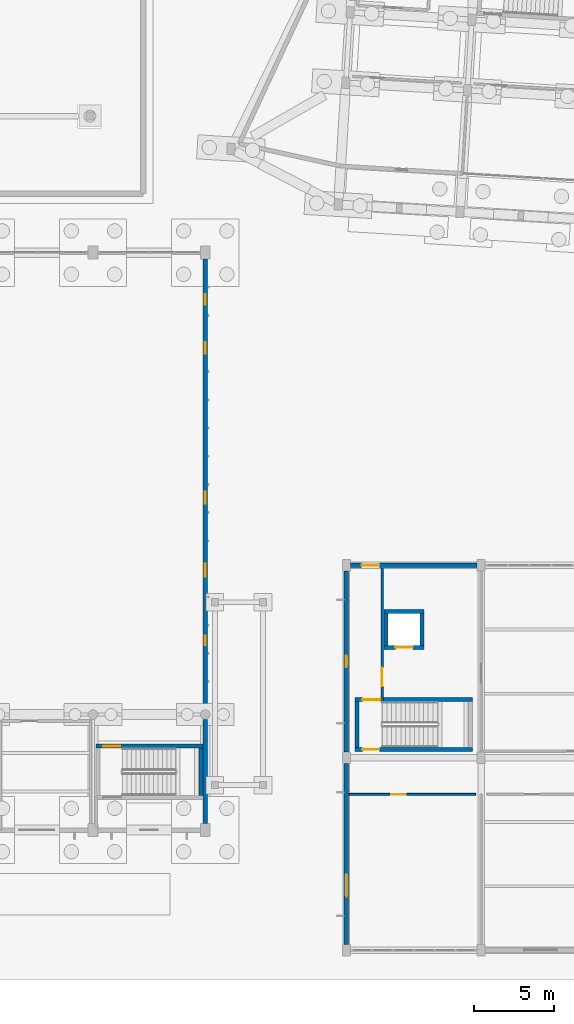
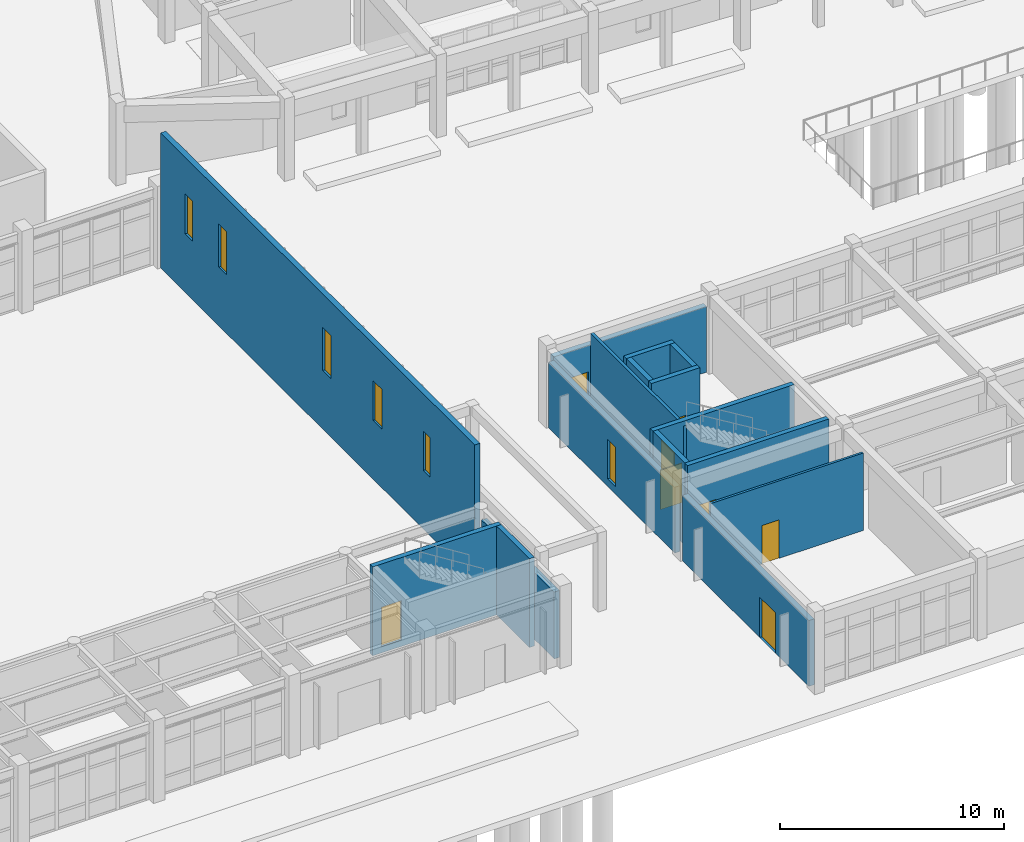
# One storey, part 118 of 154: 16 walls, 8 doors, 6 windows, 14 openings.
"""IFC4 building model written with IfcOpenShell, lengths in metres."""

import ifcopenshell
import ifcopenshell.guid

model = None  # the IFC model being written
_history = None  # IfcOwnerHistory: only IFC2X3 demands one
_inside = {}  # id of a spatial element -> (the spatial element, [elements in it])
_under = {}  # id of a project, library or spatial element -> (it, [spatial elements below it])
_declared = {}  # id of a project -> (the project, [libraries it declares])
_typed = {}  # id of a type object -> (the type object, [elements of that type])
_made_of = {}  # id of a material, layer set ... -> (it, [elements and type objects made of it])


def new_model(schema):
    """Start an empty IFC model of exactly this schema.

    Asked for "IFC4X3", IfcOpenShell would pick the latest addendum, in which some entities
    have other attributes; the version numbers below select the first issue.
    IFC2X3 requires an IfcOwnerHistory on every rooted entity: one is made here for all.
    """
    global model, _history
    if schema == "IFC4X3":
        model = ifcopenshell.file(schema_version=(4, 3, 0, 0))
    else:
        model = ifcopenshell.file(schema=schema)
    _inside.clear()
    _under.clear()
    _declared.clear()
    _typed.clear()
    _made_of.clear()
    _history = None
    if model.schema == "IFC2X3":
        org = make("IfcOrganization", Name="unknown")
        user = make(
            "IfcPersonAndOrganization",
            ThePerson=make("IfcPerson", FamilyName="unknown"),
            TheOrganization=org,
        )
        app = make(
            "IfcApplication",
            ApplicationDeveloper=org,
            Version="unknown",
            ApplicationFullName="unknown",
            ApplicationIdentifier="unknown",
        )
        _history = make(
            "IfcOwnerHistory",
            OwningUser=user,
            OwningApplication=app,
            ChangeAction="ADDED",
            CreationDate=0,
        )
    return model


def make(cls, **values):
    """One entity of the class cls with the attributes given. An attribute that is None is left unset."""
    return model.create_entity(
        cls, **{name: value for name, value in values.items() if value is not None}
    )


def rooted(cls, **values):
    """An entity with a GlobalId (a new one), such as an element, a storey or a relation."""
    return make(cls, GlobalId=ifcopenshell.guid.new(), OwnerHistory=_history, **values)


def si_unit(unit_type, name, prefix=None):
    """IfcSIUnit, for example si_unit("LENGTHUNIT", "METRE", prefix="MILLI")."""
    return make("IfcSIUnit", UnitType=unit_type, Prefix=prefix, Name=name)


def assignment(units):
    """IfcUnitAssignment: the units of a project."""
    return None if units is None else make("IfcUnitAssignment", Units=units)


def point(xyz):
    """IfcCartesianPoint."""
    return None if xyz is None else make("IfcCartesianPoint", Coordinates=xyz)


def direction(xyz):
    """IfcDirection."""
    return None if xyz is None else make("IfcDirection", DirectionRatios=xyz)


def frame(location, z_axis=None, x_axis=None):
    """IfcAxis2Placement3D, a coordinate frame: its origin and axes. An axis left out is left unset."""
    return make(
        "IfcAxis2Placement3D",
        Location=point(location),
        Axis=direction(z_axis),
        RefDirection=direction(x_axis),
    )


def frame_2d(location, x_axis=None):
    """IfcAxis2Placement2D, a coordinate frame in the plane: its origin and x axis."""
    return make(
        "IfcAxis2Placement2D", Location=point(location), RefDirection=direction(x_axis)
    )


def origin():
    """The frame at (0, 0, 0) with its axes left unset."""
    return frame((0.0, 0.0, 0.0))


def place(relative_to, where):
    """IfcLocalPlacement: puts the frame where relative to a parent placement (None: the world)."""
    return make(
        "IfcLocalPlacement", PlacementRelTo=relative_to, RelativePlacement=where
    )


def context(
    kind, dimensions, precision=None, world=None, true_north=None, identifier=None
):
    """IfcGeometricRepresentationContext, for example the 3D "Model" context."""
    return make(
        "IfcGeometricRepresentationContext",
        ContextIdentifier=identifier,
        ContextType=kind,
        CoordinateSpaceDimension=dimensions,
        Precision=precision,
        WorldCoordinateSystem=world,
        TrueNorth=true_north,
    )


def subcontext(parent, identifier, kind, view, scale=None):
    """IfcGeometricRepresentationSubContext, for example "Body" below "Model"."""
    return make(
        "IfcGeometricRepresentationSubContext",
        ContextIdentifier=identifier,
        ContextType=kind,
        ParentContext=parent,
        TargetScale=scale,
        TargetView=view,
    )


def project(units=None, contexts=None):
    """IfcProject with its units and contexts."""
    return rooted(
        "IfcProject",
        Name="project",
        RepresentationContexts=contexts,
        UnitsInContext=assignment(units),
    )


def spatial(cls, under=None, at=None, **own):
    """A site, building, storey or space (cls), placed at a placement, below another one or the project."""
    s = rooted(cls, ObjectPlacement=at, **own)
    if under is not None:
        _under.setdefault(under.id(), (under, []))[1].append(s)
    return s


def profile(cls, at=None, kind="AREA", **sizes):
    """A parametric profile (cls). Its sizes go by their IFC names, for example OverallWidth=200.0."""
    return make(cls, ProfileType=kind, Position=at, **sizes)


def rectangle(**sizes):
    """IfcRectangleProfileDef."""
    return profile("IfcRectangleProfileDef", **sizes)


def extrude(swept, where, along, depth):
    """IfcExtrudedAreaSolid: the profile swept, set in the frame where, extruded along a direction by depth."""
    return make(
        "IfcExtrudedAreaSolid",
        SweptArea=swept,
        Position=where,
        ExtrudedDirection=direction(along),
        Depth=depth,
    )


def shape(context_of_items, identifier, shape_type, items):
    """IfcShapeRepresentation: the items that make up one representation, for example the "Body"."""
    return make(
        "IfcShapeRepresentation",
        ContextOfItems=context_of_items,
        RepresentationIdentifier=identifier,
        RepresentationType=shape_type,
        Items=items,
    )


def material(Name=None, Category=None):
    """IfcMaterial."""
    return make("IfcMaterial", Name=Name, Category=Category)


def layer(
    of_material, thickness, ventilated=None, Name=None, Category=None, Priority=None
):
    """IfcMaterialLayer: one layer of a wall or slab, of a material (None: an air gap)."""
    return make(
        "IfcMaterialLayer",
        Material=of_material,
        LayerThickness=thickness,
        IsVentilated=ventilated,
        Name=Name,
        Category=Category,
        Priority=Priority,
    )


def layer_set(layers, Name=None):
    """IfcMaterialLayerSet."""
    return make("IfcMaterialLayerSet", MaterialLayers=layers, LayerSetName=Name)


def made_of(thing, what):
    """Note that an element or type object is made of a material, layer set ...; save() writes the relation."""
    if what is not None:
        _made_of.setdefault(what.id(), (what, []))[1].append(thing)
    return thing


def type_object(cls, material=None, **own):
    """A type object (cls), such as IfcWallType, which elements share."""
    return made_of(rooted(cls, **own), material)


def element(
    cls,
    number,
    at=None,
    inside=None,
    cuts=None,
    type_object=None,
    material=None,
    context=None,
    identifier="Body",
    shape_type=None,
    held_by="IfcProductDefinitionShape",
    body=None,
    shapes=None,
    **own,
):
    """One element of the class cls, such as IfcWall. Its Tag is "e" and its number.

    at: its placement. inside: the storey or other place that contains it. cuts: it is an
    opening in that element (IfcRelVoidsElement). A single representation is given by context,
    identifier, shape_type and body (its items); several are given by shapes. held_by: the class
    of the entity that holds the representations. save() writes the other relations.
    """
    e = rooted(cls, Tag="e%d" % number, ObjectPlacement=at, **own)
    if body is not None:
        shapes = [shape(context, identifier, shape_type, body)]
    if shapes is not None:
        e.Representation = make(held_by, Representations=shapes)
    if inside is not None:
        _inside.setdefault(inside.id(), (inside, []))[1].append(e)
    if cuts is not None:
        rooted(
            "IfcRelVoidsElement", RelatingBuildingElement=cuts, RelatedOpeningElement=e
        )
    if type_object is not None:
        _typed.setdefault(type_object.id(), (type_object, []))[1].append(e)
    return made_of(e, material)


def fill(opening, filler):
    """IfcRelFillsElement: the door or window that sits in an opening."""
    return rooted(
        "IfcRelFillsElement",
        RelatingOpeningElement=opening,
        RelatedBuildingElement=filler,
    )


def aggregate(whole, parts):
    """IfcRelAggregates: a whole, such as a stair, and the parts it consists of."""
    return rooted("IfcRelAggregates", RelatingObject=whole, RelatedObjects=parts)


def save(model, path):
    """Write the relations noted so far, then the file.

    IfcRelAggregates (storeys below a building ...), IfcRelContainedInSpatialStructure (elements
    in a storey), IfcRelDefinesByType, IfcRelAssociatesMaterial and IfcRelDeclares: one each for
    every whole, place, type object, material and project.
    """
    for whole, parts in _under.values():
        aggregate(whole, parts)
    for where, things in _inside.values():
        rooted(
            "IfcRelContainedInSpatialStructure",
            RelatedElements=things,
            RelatingStructure=where,
        )
    for kind, things in _typed.values():
        rooted("IfcRelDefinesByType", RelatedObjects=things, RelatingType=kind)
    for what, things in _made_of.values():
        rooted("IfcRelAssociatesMaterial", RelatedObjects=things, RelatingMaterial=what)
    for by, libraries in _declared.values():
        rooted("IfcRelDeclares", RelatingContext=by, RelatedDefinitions=libraries)
    model.write(path)


model = new_model("IFC4")

# Units and contexts
model_context = context("Model", 3, precision=1e-05, world=origin(), true_north=direction((0.0, 1.0)))
body_context = subcontext(model_context, "Body", "Model", "MODEL_VIEW")
ifc_project = project(units=[si_unit("LENGTHUNIT", "METRE"), si_unit("AREAUNIT", "SQUARE_METRE"), si_unit("VOLUMEUNIT", "CUBIC_METRE"), si_unit("PLANEANGLEUNIT", "RADIAN"), si_unit("MASSUNIT", "GRAM", prefix="KILO")], contexts=[model_context])

# Site, building, storey
site_placement = place(None, origin())
site = spatial("IfcSite", under=ifc_project, at=site_placement, CompositionType="ELEMENT")
building_placement = place(site_placement, origin())
building = spatial("IfcBuilding", under=site, at=building_placement, Name="Kestramere Prow Commons", CompositionType="ELEMENT")
storey_placement = place(building_placement, origin())
storey = spatial("IfcBuildingStorey", under=building, at=storey_placement, Name="L00", CompositionType="ELEMENT", Elevation=0.0)

# Wall
ifc_material_1 = material(Name="Precast concrete C40/50", Category="concrete")
ifc_layer_1 = layer(ifc_material_1, 0.280029296875)
ifc_layer_set_1 = layer_set([ifc_layer_1], Name="Precast concrete C40/50")
wall_type_1 = type_object("IfcWallType", Name="EW-CIVIC-280", PredefinedType="SOLIDWALL", material=ifc_layer_set_1)
wall_1_placement = place(storey_placement, frame((51.199951171875, 14.39990234375, 0.0), z_axis=(0.0, 0.0, 1.0), x_axis=(0.0, -1.0, 0.0)))
element("IfcWall", 1, at=wall_1_placement, inside=storey, type_object=wall_type_1, Name="Hall L00 E Gallery End Wall", PredefinedType="SOLIDWALL", context=body_context, shape_type="SweptSolid", body=[
    extrude(rectangle(XDim=6.5, YDim=0.280029296875, at=frame_2d((3.25, 0.0))), origin(), (0.0, 0.0, 1.0), 3.64990234375),
])

# Wall, openings, windows
wall_2_placement = place(storey_placement, frame((51.199951171875, 43.10009765625, 0.0), z_axis=(0.0, 0.0, 1.0), x_axis=(0.0, -1.0, 0.0)))
wall_2 = element("IfcWall", 2, at=wall_2_placement, inside=storey, type_object=wall_type_1, Name="Hall L00 E Double-Height Gable Wall", PredefinedType="SOLIDWALL", context=body_context, shape_type="SweptSolid", body=[
    extrude(rectangle(XDim=28.10009765625, YDim=0.280029296875, at=frame_2d((14.050048828125, 0.0))), origin(), (0.0, 0.0, 1.0), 7.3798828125),
])
opening_1_placement = place(wall_2_placement, frame((2.199951171875, 0.0, 3.199951171875)))
opening_1 = element("IfcOpeningElement", 3, at=opening_1_placement, cuts=wall_2, Name="Opening WN-04", PredefinedType="OPENING", context=body_context, shape_type="SweptSolid", body=[
    extrude(rectangle(XDim=0.639892578125, YDim=2.179931640625, at=frame_2d((0.31982421875, 1.08984375))), frame((0.0, 0.155029296875, 0.0), z_axis=(0.0, -1.0, 0.0), x_axis=(1.0, 0.0, 0.0)), (0.0, 0.0, 1.0), 0.31005859375),
])
opening_2_placement = place(wall_2_placement, frame((5.199951171875, 0.0, 3.199951171875)))
opening_2 = element("IfcOpeningElement", 4, at=opening_2_placement, cuts=wall_2, Name="Opening WN-07", PredefinedType="OPENING", context=body_context, shape_type="SweptSolid", body=[
    extrude(rectangle(XDim=0.699951171875, YDim=2.360107421875, at=frame_2d((0.35009765625, 1.18017578125))), frame((0.0, 0.155029296875, 0.0), z_axis=(0.0, -1.0, 0.0), x_axis=(1.0, 0.0, 0.0)), (0.0, 0.0, 1.0), 0.31005859375),
])
opening_3_placement = place(wall_2_placement, frame((14.5, 0.0, 3.199951171875)))
opening_3 = element("IfcOpeningElement", 5, at=opening_3_placement, cuts=wall_2, Name="Opening WN-10", PredefinedType="OPENING", context=body_context, shape_type="SweptSolid", body=[
    extrude(rectangle(XDim=0.760009765625, YDim=2.340087890625, at=frame_2d((0.3798828125, 1.169921875))), frame((0.0, 0.155029296875, 0.0), z_axis=(0.0, -1.0, 0.0), x_axis=(1.0, 0.0, 0.0)), (0.0, 0.0, 1.0), 0.31005859375),
])
opening_4_placement = place(wall_2_placement, frame((19.0, 0.0, 3.199951171875)))
opening_4 = element("IfcOpeningElement", 6, at=opening_4_placement, cuts=wall_2, Name="Opening WN-13", PredefinedType="OPENING", context=body_context, shape_type="SweptSolid", body=[
    extrude(rectangle(XDim=0.820068359375, YDim=2.179931640625, at=frame_2d((0.41015625, 1.08984375))), frame((0.0, 0.155029296875, 0.0), z_axis=(0.0, -1.0, 0.0), x_axis=(1.0, 0.0, 0.0)), (0.0, 0.0, 1.0), 0.31005859375),
])
opening_5_placement = place(wall_2_placement, frame((23.5, 0.0, 3.199951171875)))
opening_5 = element("IfcOpeningElement", 7, at=opening_5_placement, cuts=wall_2, Name="Opening WN-01", PredefinedType="OPENING", context=body_context, shape_type="SweptSolid", body=[
    extrude(rectangle(XDim=0.580078125, YDim=2.159912109375, at=frame_2d((0.2900390625, 1.080078125))), frame((0.0, 0.155029296875, 0.0), z_axis=(0.0, -1.0, 0.0), x_axis=(1.0, 0.0, 0.0)), (0.0, 0.0, 1.0), 0.31005859375),
])
ifc_material_2 = material(Name="Low-E Laminated Double Glazing", Category="glass")
window_type_1 = type_object("IfcWindowType", Name="WN-NAR-580A", PartitioningType="SINGLE_PANEL", PredefinedType="WINDOW", material=ifc_material_2)
window_1_placement = place(opening_5_placement, origin())
window_1 = element("IfcWindow", 8, at=window_1_placement, inside=storey, type_object=window_type_1, Name="WN-HL-GAB-E-5", OverallHeight=2.159912109375, OverallWidth=0.580078125, PartitioningType="SINGLE_PANEL", PredefinedType="WINDOW", context=body_context, shape_type="SweptSolid", body=[
    extrude(rectangle(XDim=0.580078125, YDim=2.159912109375, at=frame_2d((0.2900390625, 1.080078125))), frame((0.0, 0.030029296875, 0.0), z_axis=(0.0, -1.0, 0.0), x_axis=(1.0, 0.0, 0.0)), (0.0, 0.0, 1.0), 0.06005859375),
])
fill(opening_5, window_1)
window_type_2 = type_object("IfcWindowType", Name="WN-NAR-640A", PartitioningType="SINGLE_PANEL", PredefinedType="WINDOW", material=ifc_material_2)
window_2_placement = place(opening_1_placement, origin())
window_2 = element("IfcWindow", 9, at=window_2_placement, inside=storey, type_object=window_type_2, Name="WN-HL-GAB-E-1", OverallHeight=2.179931640625, OverallWidth=0.639892578125, PartitioningType="SINGLE_PANEL", PredefinedType="WINDOW", context=body_context, shape_type="SweptSolid", body=[
    extrude(rectangle(XDim=0.639892578125, YDim=2.179931640625, at=frame_2d((0.31982421875, 1.08984375))), frame((0.0, 0.030029296875, 0.0), z_axis=(0.0, -1.0, 0.0), x_axis=(1.0, 0.0, 0.0)), (0.0, 0.0, 1.0), 0.06005859375),
])
fill(opening_1, window_2)
window_type_3 = type_object("IfcWindowType", Name="WN-NAR-700A", PartitioningType="SINGLE_PANEL", PredefinedType="WINDOW", material=ifc_material_2)
window_3_placement = place(opening_2_placement, origin())
window_3 = element("IfcWindow", 10, at=window_3_placement, inside=storey, type_object=window_type_3, Name="WN-HL-GAB-E-2", OverallHeight=2.360107421875, OverallWidth=0.699951171875, PartitioningType="SINGLE_PANEL", PredefinedType="WINDOW", context=body_context, shape_type="SweptSolid", body=[
    extrude(rectangle(XDim=0.699951171875, YDim=2.360107421875, at=frame_2d((0.35009765625, 1.18017578125))), frame((0.0, 0.030029296875, 0.0), z_axis=(0.0, -1.0, 0.0), x_axis=(1.0, 0.0, 0.0)), (0.0, 0.0, 1.0), 0.06005859375),
])
fill(opening_2, window_3)
window_type_4 = type_object("IfcWindowType", Name="WN-NAR-760A", PartitioningType="SINGLE_PANEL", PredefinedType="WINDOW", material=ifc_material_2)
window_4_placement = place(opening_3_placement, origin())
window_4 = element("IfcWindow", 11, at=window_4_placement, inside=storey, type_object=window_type_4, Name="WN-HL-GAB-E-3", OverallHeight=2.340087890625, OverallWidth=0.760009765625, PartitioningType="SINGLE_PANEL", PredefinedType="WINDOW", context=body_context, shape_type="SweptSolid", body=[
    extrude(rectangle(XDim=0.760009765625, YDim=2.340087890625, at=frame_2d((0.3798828125, 1.169921875))), frame((0.0, 0.030029296875, 0.0), z_axis=(0.0, -1.0, 0.0), x_axis=(1.0, 0.0, 0.0)), (0.0, 0.0, 1.0), 0.06005859375),
])
fill(opening_3, window_4)
window_type_5 = type_object("IfcWindowType", Name="WN-NAR-820A", PartitioningType="DOUBLE_PANEL_VERTICAL", PredefinedType="WINDOW", material=ifc_material_2)
window_5_placement = place(opening_4_placement, origin())
window_5 = element("IfcWindow", 12, at=window_5_placement, inside=storey, type_object=window_type_5, Name="WN-HL-GAB-E-4", OverallHeight=2.179931640625, OverallWidth=0.820068359375, PartitioningType="SINGLE_PANEL", PredefinedType="WINDOW", context=body_context, shape_type="SweptSolid", body=[
    extrude(rectangle(XDim=0.820068359375, YDim=2.179931640625, at=frame_2d((0.41015625, 1.08984375))), frame((0.0, 0.030029296875, 0.0), z_axis=(0.0, -1.0, 0.0), x_axis=(1.0, 0.0, 0.0)), (0.0, 0.0, 1.0), 0.06005859375),
])
fill(opening_4, window_5)

# Wall, opening, door
wall_3_placement = place(storey_placement, frame((60.25, 24.0, 0.0), z_axis=(0.0, 0.0, 1.0), x_axis=(1.0, 0.0, 0.0)))
wall_3 = element("IfcWall", 13, at=wall_3_placement, inside=storey, type_object=wall_type_1, Name="Market L00 Core Wall 1", PredefinedType="SOLIDWALL", context=body_context, shape_type="SweptSolid", body=[
    extrude(rectangle(XDim=7.89990234375, YDim=0.280029296875, at=frame_2d((3.949951171875, 0.0))), origin(), (0.0, 0.0, 1.0), 3.590087890625),
])
opening_6_placement = place(wall_3_placement, frame((0.699951171875, 0.0, 0.0)))
opening_6 = element("IfcOpeningElement", 14, at=opening_6_placement, cuts=wall_3, Name="Opening ED-03", PredefinedType="OPENING", context=body_context, shape_type="SweptSolid", body=[
    extrude(rectangle(XDim=1.10009765625, YDim=2.14990234375, at=frame_2d((0.550048828125, 1.074951171875))), frame((0.0, 0.155029296875, 0.0), z_axis=(0.0, -1.0, 0.0), x_axis=(1.0, 0.0, 0.0)), (0.0, 0.0, 1.0), 0.31005859375),
])
ifc_material_3 = material(Name="Thermally-Broken Anodised Aluminium Glazed", Category="aluminium")
door_type_1 = type_object("IfcDoorType", Name="ED-STAIR-1100", OperationType="NOTDEFINED", PredefinedType="DOOR", material=ifc_material_3)
door_1_placement = place(opening_6_placement, origin())
door_1 = element("IfcDoor", 15, at=door_1_placement, inside=storey, type_object=door_type_1, Name="Market Stair Exit Door 1", OperationType="SINGLE_SWING_LEFT", OverallHeight=2.14990234375, OverallWidth=1.10009765625, PredefinedType="DOOR", context=body_context, shape_type="SweptSolid", body=[
    extrude(rectangle(XDim=1.10009765625, YDim=2.14990234375, at=frame_2d((0.550048828125, 1.074951171875))), frame((0.0, 0.02490234375, 0.0), z_axis=(0.0, -1.0, 0.0), x_axis=(1.0, 0.0, 0.0)), (0.0, 0.0, 1.0), 0.050048828125),
])
fill(opening_6, door_1)

wall_4_placement = place(storey_placement, frame((60.0, 0.35009765625, 0.0), z_axis=(0.0, 0.0, 1.0), x_axis=(0.0, 1.0, 0.0)))
wall_4 = element("IfcWall", 16, at=wall_4_placement, inside=storey, type_object=wall_type_1, Name="Market L00 W End Wall 1", PredefinedType="SOLIDWALL", context=body_context, shape_type="SweptSolid", body=[
    extrude(rectangle(XDim=11.2998046875, YDim=0.280029296875, at=frame_2d((5.64990234375, 0.0))), origin(), (0.0, 0.0, 1.0), 3.590087890625),
])
opening_7_placement = place(wall_4_placement, frame((3.0, 0.0, 0.0)))
opening_7 = element("IfcOpeningElement", 17, at=opening_7_placement, cuts=wall_4, Name="Opening ED-07", PredefinedType="OPENING", context=body_context, shape_type="SweptSolid", body=[
    extrude(rectangle(XDim=1.39990234375, YDim=2.199951171875, at=frame_2d((0.699951171875, 1.10009765625))), frame((0.0, 0.155029296875, 0.0), z_axis=(0.0, -1.0, 0.0), x_axis=(1.0, 0.0, 0.0)), (0.0, 0.0, 1.0), 0.31005859375),
])
door_type_2 = type_object("IfcDoorType", Name="ED-PLANT-1400", OperationType="DOUBLE_DOOR_SINGLE_SWING", PredefinedType="DOOR", material=ifc_material_3)
door_2_placement = place(opening_7_placement, origin())
door_2 = element("IfcDoor", 18, at=door_2_placement, inside=storey, type_object=door_type_2, Name="Substation and Plant Double Door", OperationType="DOUBLE_DOOR_SINGLE_SWING", OverallHeight=2.199951171875, OverallWidth=1.39990234375, PredefinedType="DOOR", context=body_context, shape_type="SweptSolid", body=[
    extrude(rectangle(XDim=1.39990234375, YDim=2.199951171875, at=frame_2d((0.699951171875, 1.10009765625))), frame((0.0, 0.02490234375, 0.0), z_axis=(0.0, -1.0, 0.0), x_axis=(1.0, 0.0, 0.0)), (0.0, 0.0, 1.0), 0.050048828125),
])
fill(opening_7, door_2)

# Wall, opening, window
wall_5_placement = place(storey_placement, frame((60.0, 12.35009765625, 0.0), z_axis=(0.0, 0.0, 1.0), x_axis=(0.0, 1.0, 0.0)))
wall_5 = element("IfcWall", 19, at=wall_5_placement, inside=storey, type_object=wall_type_1, Name="Market L00 W End Wall 2", PredefinedType="SOLIDWALL", context=body_context, shape_type="SweptSolid", body=[
    extrude(rectangle(XDim=11.2998046875, YDim=0.280029296875, at=frame_2d((5.64990234375, 0.0))), origin(), (0.0, 0.0, 1.0), 3.590087890625),
])
opening_8_placement = place(wall_5_placement, frame((5.300048828125, 0.0, 0.419921875)))
opening_8 = element("IfcOpeningElement", 20, at=opening_8_placement, cuts=wall_5, Name="Opening WN-16", PredefinedType="OPENING", context=body_context, shape_type="SweptSolid", body=[
    extrude(rectangle(XDim=0.699951171875, YDim=2.139892578125, at=frame_2d((0.35009765625, 1.06982421875))), frame((0.0, 0.155029296875, 0.0), z_axis=(0.0, -1.0, 0.0), x_axis=(1.0, 0.0, 0.0)), (0.0, 0.0, 1.0), 0.31005859375),
])
window_type_6 = type_object("IfcWindowType", Name="WN-CIV-700", PartitioningType="SINGLE_PANEL", PredefinedType="WINDOW", material=ifc_material_2)
window_6_placement = place(opening_8_placement, origin())
window_6 = element("IfcWindow", 21, at=window_6_placement, inside=storey, type_object=window_type_6, Name="WN-MK-L00-W-1", OverallHeight=2.139892578125, OverallWidth=0.699951171875, PartitioningType="SINGLE_PANEL", PredefinedType="WINDOW", context=body_context, shape_type="SweptSolid", body=[
    extrude(rectangle(XDim=0.699951171875, YDim=2.139892578125, at=frame_2d((0.35009765625, 1.06982421875))), frame((0.0, 0.030029296875, 0.0), z_axis=(0.0, -1.0, 0.0), x_axis=(1.0, 0.0, 0.0)), (0.0, 0.0, 1.0), 0.06005859375),
])
fill(opening_8, window_6)

# Wall, opening, door
ifc_material_4 = material(Name="Concrete C40/50", Category="concrete")
ifc_layer_2 = layer(ifc_material_4, 0.25)
ifc_layer_set_2 = layer_set([ifc_layer_2], Name="Concrete C40/50")
wall_type_2 = type_object("IfcWallType", Name="W-CORE-250", PredefinedType="SHEAR", material=ifc_layer_set_2)
wall_6_placement = place(storey_placement, frame((44.39990234375, 12.72509765625, -0.35009765625), z_axis=(0.0, 0.0, 1.0), x_axis=(1.0, 0.0, 0.0)))
wall_6 = element("IfcWall", 22, at=wall_6_placement, inside=storey, type_object=wall_type_2, Name="ST-H2 L00 North Wall", PredefinedType="SHEAR", context=body_context, shape_type="SweptSolid", body=[
    extrude(rectangle(XDim=6.650146484375, YDim=0.25, at=frame_2d((3.3251953125, 0.0))), origin(), (0.0, 0.0, 1.0), 4.85009765625),
])
opening_9_placement = place(wall_6_placement, frame((0.449951171875, 0.0, 0.35009765625)))
opening_9 = element("IfcOpeningElement", 23, at=opening_9_placement, cuts=wall_6, Name="Opening ID-01", PredefinedType="OPENING", context=body_context, shape_type="SweptSolid", body=[
    extrude(rectangle(XDim=1.050048828125, YDim=2.14990234375, at=frame_2d((0.52490234375, 1.074951171875))), frame((0.0, 0.139892578125, 0.0), z_axis=(0.0, -1.0, 0.0), x_axis=(1.0, 0.0, 0.0)), (0.0, 0.0, 1.0), 0.280029296875),
])
ifc_material_5 = material(Name="Fire-Rated Timber and Steel Frame", Category="steel")
door_type_3 = type_object("IfcDoorType", Name="FD-ST-01", OperationType="NOTDEFINED", PredefinedType="DOOR", material=ifc_material_5)
door_3_placement = place(opening_9_placement, origin())
door_3 = element("IfcDoor", 24, at=door_3_placement, inside=storey, type_object=door_type_3, Name="ST-H2 L00 Protected Stair Door", OperationType="SINGLE_SWING_LEFT", OverallHeight=2.14990234375, OverallWidth=1.050048828125, PredefinedType="DOOR", context=body_context, shape_type="SweptSolid", body=[
    extrude(rectangle(XDim=1.050048828125, YDim=2.14990234375, at=frame_2d((0.52490234375, 1.074951171875))), frame((0.0, 0.02490234375, 0.0), z_axis=(0.0, -1.0, 0.0), x_axis=(1.0, 0.0, 0.0)), (0.0, 0.0, 1.0), 0.050048828125),
])
fill(opening_9, door_3)

# Wall
wall_7_placement = place(storey_placement, frame((50.925048828125, 9.64990234375, -0.35009765625), z_axis=(0.0, 0.0, 1.0), x_axis=(0.0, 1.0, 0.0)))
element("IfcWall", 25, at=wall_7_placement, inside=storey, type_object=wall_type_2, Name="ST-H2 L00 E Wall", PredefinedType="SHEAR", context=body_context, shape_type="SweptSolid", body=[
    extrude(rectangle(XDim=2.9501953125, YDim=0.25, at=frame_2d((1.47509765625, 0.0))), origin(), (0.0, 0.0, 1.0), 4.85009765625),
])

# Wall, opening, door
wall_8_placement = place(storey_placement, frame((60.550048828125, 12.52490234375, 0.0), z_axis=(0.0, 0.0, 1.0), x_axis=(1.0, 0.0, 0.0)))
wall_8 = element("IfcWall", 26, at=wall_8_placement, inside=storey, type_object=wall_type_2, Name="SW-ST-M1-L00-L", PredefinedType="SHEAR", context=body_context, shape_type="SweptSolid", body=[
    extrude(rectangle(XDim=7.300048828125, YDim=0.25, at=frame_2d((3.64990234375, 0.0))), origin(), (0.0, 0.0, 1.0), 4.5),
])
opening_10_placement = place(wall_8_placement, frame((0.449951171875, 0.0, 0.0)))
opening_10 = element("IfcOpeningElement", 27, at=opening_10_placement, cuts=wall_8, Name="Opening ID-01", PredefinedType="OPENING", context=body_context, shape_type="SweptSolid", body=[
    extrude(rectangle(XDim=1.050048828125, YDim=2.14990234375, at=frame_2d((0.52490234375, 1.074951171875))), frame((0.0, 0.139892578125, 0.0), z_axis=(0.0, -1.0, 0.0), x_axis=(1.0, 0.0, 0.0)), (0.0, 0.0, 1.0), 0.280029296875),
])
door_4_placement = place(opening_10_placement, origin())
door_4 = element("IfcDoor", 28, at=door_4_placement, inside=storey, type_object=door_type_3, Name="ST-M1 L00 Protected Stair Door", OperationType="SINGLE_SWING_RIGHT", OverallHeight=2.14990234375, OverallWidth=1.050048828125, PredefinedType="DOOR", context=body_context, shape_type="SweptSolid", body=[
    extrude(rectangle(XDim=1.050048828125, YDim=2.14990234375, at=frame_2d((0.52490234375, 1.074951171875))), frame((0.0, 0.02490234375, 0.0), z_axis=(0.0, -1.0, 0.0), x_axis=(1.0, 0.0, 0.0)), (0.0, 0.0, 1.0), 0.050048828125),
])
fill(opening_10, door_4)

wall_9_placement = place(storey_placement, frame((60.550048828125, 15.625, 0.0), z_axis=(0.0, 0.0, 1.0), x_axis=(1.0, 0.0, 0.0)))
wall_9 = element("IfcWall", 29, at=wall_9_placement, inside=storey, type_object=wall_type_2, Name="SW-ST-M1-L00-R", PredefinedType="SHEAR", context=body_context, shape_type="SweptSolid", body=[
    extrude(rectangle(XDim=7.300048828125, YDim=0.25, at=frame_2d((3.64990234375, 0.0))), origin(), (0.0, 0.0, 1.0), 4.5),
])
opening_11_placement = place(wall_9_placement, frame((0.449951171875, 0.0, 0.0)))
opening_11 = element("IfcOpeningElement", 30, at=opening_11_placement, cuts=wall_9, Name="Opening ID-02", PredefinedType="OPENING", context=body_context, shape_type="SweptSolid", body=[
    extrude(rectangle(XDim=1.1201171875, YDim=2.14990234375, at=frame_2d((0.56005859375, 1.074951171875))), frame((0.0, 0.139892578125, 0.0), z_axis=(0.0, -1.0, 0.0), x_axis=(1.0, 0.0, 0.0)), (0.0, 0.0, 1.0), 0.280029296875),
])
door_type_4 = type_object("IfcDoorType", Name="FD-ST-02", OperationType="NOTDEFINED", PredefinedType="DOOR", material=ifc_material_5)
door_5_placement = place(opening_11_placement, origin())
door_5 = element("IfcDoor", 31, at=door_5_placement, inside=storey, type_object=door_type_4, Name="ST-M1 L00 Lobby/Exit Stair Door", OperationType="SINGLE_SWING_RIGHT", OverallHeight=2.14990234375, OverallWidth=1.1201171875, PredefinedType="DOOR", context=body_context, shape_type="SweptSolid", body=[
    extrude(rectangle(XDim=1.1201171875, YDim=2.14990234375, at=frame_2d((0.56005859375, 1.074951171875))), frame((0.0, 0.02490234375, 0.0), z_axis=(0.0, -1.0, 0.0), x_axis=(1.0, 0.0, 0.0)), (0.0, 0.0, 1.0), 0.050048828125),
])
fill(opening_11, door_5)

# Walls
wall_10_placement = place(storey_placement, frame((60.675048828125, 12.64990234375, 0.0), z_axis=(0.0, 0.0, 1.0), x_axis=(0.0, 1.0, 0.0)))
element("IfcWall", 32, at=wall_10_placement, inside=storey, type_object=wall_type_2, Name="SW-ST-M1-L00-N", PredefinedType="SHEAR", context=body_context, shape_type="SweptSolid", body=[
    extrude(rectangle(XDim=2.85009765625, YDim=0.25, at=frame_2d((1.425048828125, 0.0))), origin(), (0.0, 0.0, 1.0), 4.5),
])
wall_11_placement = place(storey_placement, frame((62.35009765625, 21.125, 0.0), z_axis=(0.0, 0.0, 1.0), x_axis=(1.0, 0.0, 0.0)))
element("IfcWall", 33, at=wall_11_placement, inside=storey, type_object=wall_type_2, Name="CW-PLS1-L00-N", PredefinedType="SHEAR", context=body_context, shape_type="SweptSolid", body=[
    extrude(rectangle(XDim=2.5, YDim=0.25, at=frame_2d((1.25, 0.0))), origin(), (0.0, 0.0, 1.0), 4.5),
])

# Wall, opening, door
wall_12_placement = place(storey_placement, frame((62.35009765625, 18.875, 0.0), z_axis=(0.0, 0.0, 1.0), x_axis=(1.0, 0.0, 0.0)))
wall_12 = element("IfcWall", 34, at=wall_12_placement, inside=storey, type_object=wall_type_2, Name="CW-PLS1-L00-S", PredefinedType="SHEAR", context=body_context, shape_type="SweptSolid", body=[
    extrude(rectangle(XDim=2.5, YDim=0.25, at=frame_2d((1.25, 0.0))), origin(), (0.0, 0.0, 1.0), 4.5),
])
opening_12_placement = place(wall_12_placement, frame((0.699951171875, 0.0, 0.0)))
opening_12 = element("IfcOpeningElement", 35, at=opening_12_placement, cuts=wall_12, Name="Opening LD-01", PredefinedType="OPENING", context=body_context, shape_type="SweptSolid", body=[
    extrude(rectangle(XDim=1.10009765625, YDim=2.14990234375, at=frame_2d((0.550048828125, 1.074951171875))), frame((0.0, 0.139892578125, 0.0), z_axis=(0.0, -1.0, 0.0), x_axis=(1.0, 0.0, 0.0)), (0.0, 0.0, 1.0), 0.280029296875),
])
ifc_material_6 = material(Name="Brushed Stainless Steel 304", Category="steel")
door_type_5 = type_object("IfcDoorType", Name="LD-01", OperationType="DOUBLE_DOOR_SLIDING", PredefinedType="DOOR", material=ifc_material_6)
door_6_placement = place(opening_12_placement, origin())
door_6 = element("IfcDoor", 36, at=door_6_placement, inside=storey, type_object=door_type_5, Name="PL-S1 L00 Lift Landing Door", OperationType="DOUBLE_DOOR_SLIDING", OverallHeight=2.14990234375, OverallWidth=1.10009765625, PredefinedType="DOOR", context=body_context, shape_type="SweptSolid", body=[
    extrude(rectangle(XDim=1.10009765625, YDim=2.14990234375, at=frame_2d((0.550048828125, 1.074951171875))), frame((0.0, 0.02490234375, 0.0), z_axis=(0.0, -1.0, 0.0), x_axis=(1.0, 0.0, 0.0)), (0.0, 0.0, 1.0), 0.050048828125),
])
fill(opening_12, door_6)

# Walls
for number, where, z_axis, x_axis, name in (
    (37, (62.47509765625, 19.0, 0.0), (0.0, 0.0, 1.0), (0.0, 1.0, 0.0), "CW-PLS1-L00-W"),
    (38, (64.72509765625, 19.0, 0.0), (0.0, 0.0, 1.0), (0.0, 1.0, 0.0), "CW-PLS1-L00-E"),
):
    element("IfcWall", number, at=place(storey_placement, frame(where, z_axis=z_axis, x_axis=x_axis)), inside=storey, type_object=wall_type_2, Name=name, PredefinedType="SHEAR", context=body_context, shape_type="SweptSolid", body=[
        extrude(rectangle(XDim=2.0, YDim=0.25, at=frame_2d((1.0, 0.0))), origin(), (0.0, 0.0, 1.0), 4.5),
    ])

# Wall, opening, door
ifc_material_7 = material(Name="Fire-Rated Calcium Silicate Wall")
ifc_layer_3 = layer(ifc_material_7, 0.155029296875)
ifc_layer_set_3 = layer_set([ifc_layer_3], Name="Fire-Rated Calcium Silicate Wall")
wall_type_3 = type_object("IfcWallType", Name="W-FIRE-150", PredefinedType="PARTITIONING", material=ifc_layer_set_3)
wall_13_placement = place(storey_placement, frame((62.219970703125, 15.5, 0.0), z_axis=(0.0, 0.0, 1.0), x_axis=(0.0, 1.0, 0.0)))
wall_13 = element("IfcWall", 39, at=wall_13_placement, inside=storey, type_object=wall_type_3, Name="Interior Partition PW-MK-L00-VESTW", PredefinedType="PARTITIONING", context=body_context, shape_type="SweptSolid", body=[
    extrude(rectangle(XDim=8.35009765625, YDim=0.155029296875, at=frame_2d((4.175048828125, 0.0))), origin(), (0.0, 0.0, 1.0), 4.22998046875),
])
opening_13_placement = place(wall_13_placement, frame((0.949951171875, 0.0, 0.0)))
opening_13 = element("IfcOpeningElement", 40, at=opening_13_placement, cuts=wall_13, Name="Opening ID-03", PredefinedType="OPENING", context=body_context, shape_type="SweptSolid", body=[
    extrude(rectangle(XDim=1.179931640625, YDim=2.14990234375, at=frame_2d((0.58984375, 1.074951171875))), frame((0.0, 0.092529296875, 0.0), z_axis=(0.0, -1.0, 0.0), x_axis=(1.0, 0.0, 0.0)), (0.0, 0.0, 1.0), 0.18505859375),
])
ifc_material_8 = material(Name="Fire-Rated Glazed Smoke-Stop Door")
door_type_6 = type_object("IfcDoorType", Name="FD-LB-01", OperationType="NOTDEFINED", PredefinedType="DOOR", material=ifc_material_8)
door_7_placement = place(opening_13_placement, origin())
door_7 = element("IfcDoor", 41, at=door_7_placement, inside=storey, type_object=door_type_6, Name="Interior Door DR-MK-L00-VESTW", OperationType="SINGLE_SWING_LEFT", OverallHeight=2.14990234375, OverallWidth=1.179931640625, PredefinedType="DOOR", context=body_context, shape_type="SweptSolid", body=[
    extrude(rectangle(XDim=1.179931640625, YDim=2.14990234375, at=frame_2d((0.58984375, 1.074951171875))), frame((0.0, 0.02490234375, 0.0), z_axis=(0.0, -1.0, 0.0), x_axis=(1.0, 0.0, 0.0)), (0.0, 0.0, 1.0), 0.050048828125),
])
fill(opening_13, door_7)

ifc_material_9 = material(Name="Lightweight Blockwork and Plaster", Category="masonry")
ifc_layer_4 = layer(ifc_material_9, 0.1201171875)
ifc_layer_set_4 = layer_set([ifc_layer_4], Name="Lightweight Blockwork and Plaster")
wall_type_4 = type_object("IfcWallType", Name="W-PART-120", PredefinedType="PARTITIONING", material=ifc_layer_set_4)
wall_14_placement = place(storey_placement, frame((60.14990234375, 9.719970703125, 0.0), z_axis=(0.0, 0.0, 1.0), x_axis=(1.0, 0.0, 0.0)))
wall_14 = element("IfcWall", 42, at=wall_14_placement, inside=storey, type_object=wall_type_4, Name="Interior Partition PW-MK-L00-CS-0", PredefinedType="PARTITIONING", context=body_context, shape_type="SweptSolid", body=[
    extrude(rectangle(XDim=7.900146484375, YDim=0.1201171875, at=frame_2d((3.9501953125, 0.0))), origin(), (0.0, 0.0, 1.0), 4.22998046875),
])
opening_14_placement = place(wall_14_placement, frame((2.64990234375, 0.0, 0.0)))
opening_14 = element("IfcOpeningElement", 43, at=opening_14_placement, cuts=wall_14, Name="Opening ID-08", PredefinedType="OPENING", context=body_context, shape_type="SweptSolid", body=[
    extrude(rectangle(XDim=0.89990234375, YDim=2.10009765625, at=frame_2d((0.449951171875, 1.050048828125))), frame((0.0, 0.074951171875, 0.0), z_axis=(0.0, -1.0, 0.0), x_axis=(1.0, 0.0, 0.0)), (0.0, 0.0, 1.0), 0.150146484375),
])
ifc_material_10 = material(Name="Engineered Timber Flush Door", Category="wood")
door_type_7 = type_object("IfcDoorType", Name="D-RM-01", OperationType="NOTDEFINED", PredefinedType="DOOR", material=ifc_material_10)
door_8_placement = place(opening_14_placement, origin())
door_8 = element("IfcDoor", 44, at=door_8_placement, inside=storey, type_object=door_type_7, Name="Interior Door DR-MK-L00-S-0", OperationType="SINGLE_SWING_LEFT", OverallHeight=2.10009765625, OverallWidth=0.89990234375, PredefinedType="DOOR", context=body_context, shape_type="SweptSolid", body=[
    extrude(rectangle(XDim=0.89990234375, YDim=2.10009765625, at=frame_2d((0.449951171875, 1.050048828125))), frame((0.0, 0.02490234375, 0.0), z_axis=(0.0, -1.0, 0.0), x_axis=(1.0, 0.0, 0.0)), (0.0, 0.0, 1.0), 0.050048828125),
])
fill(opening_14, door_8)

save(model, "model.ifc")
